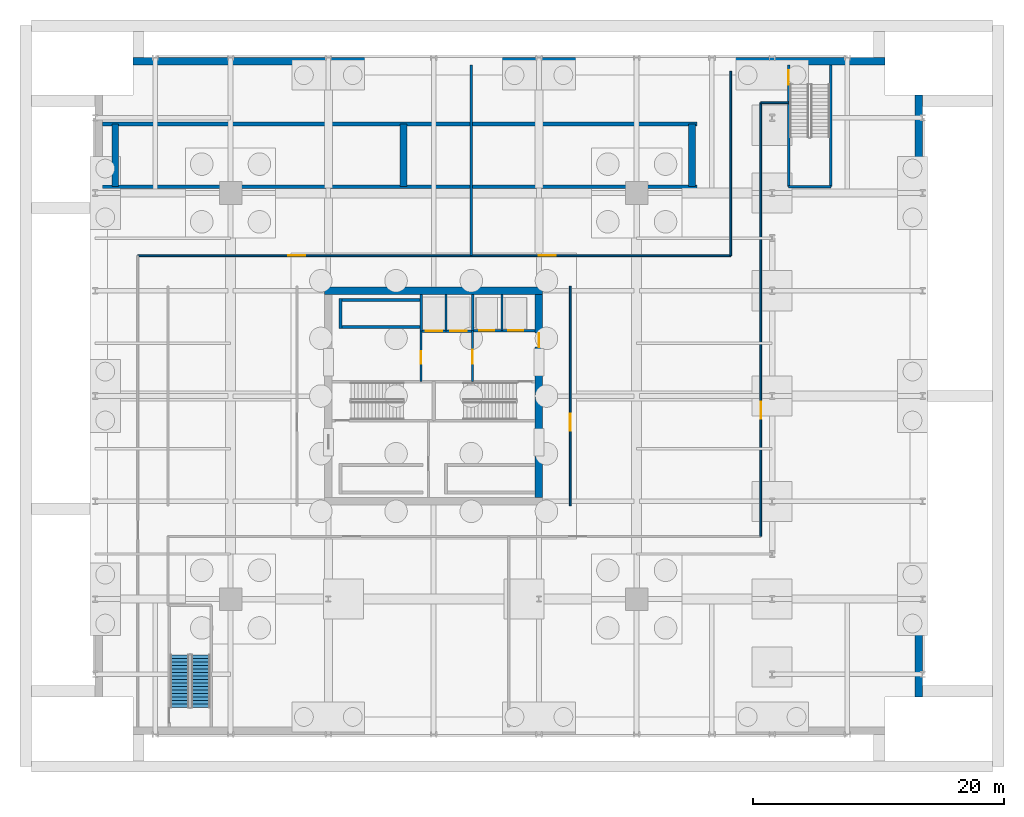
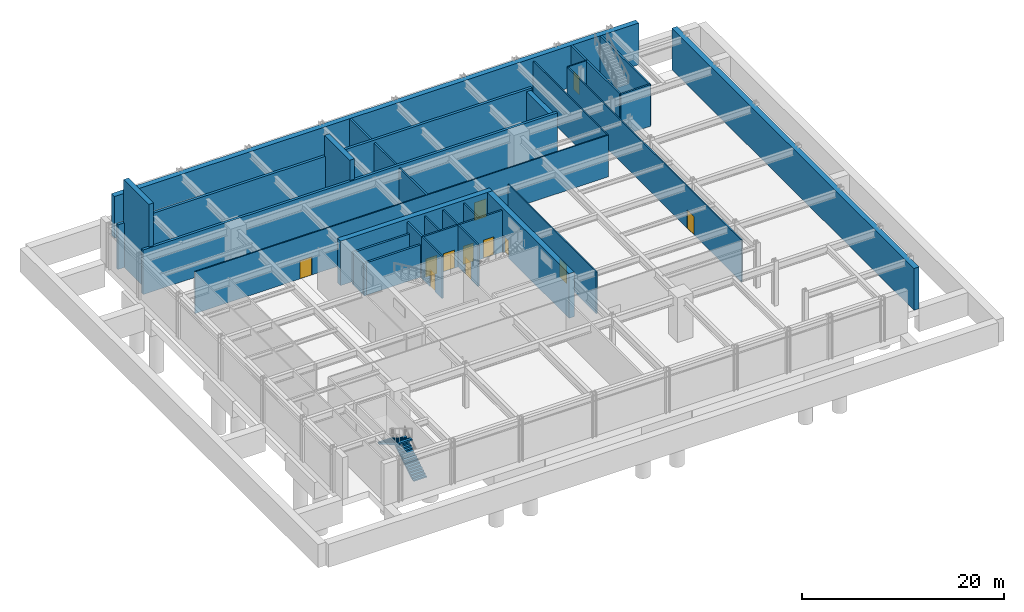
# One storey, part 4 of 9: 29 walls, 12 doors, 2 stair flights, 12 openings, 1 element without a shape of its own.
"""IFC4 building model written with IfcOpenShell, lengths in metres."""

from ifc_helpers import new_model, si_unit, direction, frame, frame_2d, origin, place, context, subcontext, project, spatial, polyline, rectangle, outline, extrude, material, layer, layer_set, type_object, element, fill, aggregate, save


model = new_model("IFC4")

# Units and contexts
model_context = context("Model", 3, precision=1e-05, world=origin(), true_north=direction((0.0, 1.0)))
body_context = subcontext(model_context, "Body", "Model", "MODEL_VIEW")
ifc_project = project(units=[si_unit("LENGTHUNIT", "METRE"), si_unit("AREAUNIT", "SQUARE_METRE"), si_unit("VOLUMEUNIT", "CUBIC_METRE"), si_unit("PLANEANGLEUNIT", "RADIAN"), si_unit("MASSUNIT", "GRAM", prefix="KILO")], contexts=[model_context])

# Site, building, storey
site_placement = place(None, origin())
site = spatial("IfcSite", under=ifc_project, at=site_placement, CompositionType="ELEMENT")
building_placement = place(site_placement, origin())
building = spatial("IfcBuilding", under=site, at=building_placement, Name="Drelvath Grand Hotel", CompositionType="ELEMENT")
storey_placement = place(building_placement, frame((0.0, 0.0, -10.800048828125)))
storey = spatial("IfcBuildingStorey", under=building, at=storey_placement, Name="B2", CompositionType="ELEMENT", Elevation=-10.800048828125)

# Walls
ifc_material_1 = material(Name="Concrete f'c 55 MPa", Category="concrete")
ifc_layer_1 = layer(ifc_material_1, 0.60009765625)
ifc_layer_set_1 = layer_set([ifc_layer_1], Name="Concrete f'c 55 MPa")
wall_type_1 = type_object("IfcWallType", Name="Basement Perimeter Retaining Wall 600", PredefinedType="USERDEFINED", material=ifc_layer_set_1)
for number, where, z_axis, x_axis, name in (
    (1, (-7.550048828125, 32.52001953125, 0.0), (0.0, 0.0, 1.0), (1.0, 0.0, 0.0), "B2 Elevator Pit Support Wall PIT-B1-PE79-S"),
    (2, (-7.550048828125, 34.679931640625, 0.0), (0.0, 0.0, 1.0), (1.0, 0.0, 0.0), "B2 Elevator Pit Support Wall PIT-B1-PE79-N"),
):
    element("IfcWall", number, at=place(storey_placement, frame(where, z_axis=z_axis, x_axis=x_axis)), inside=storey, type_object=wall_type_1, Name=name, ObjectType="RETAININGWALL", PredefinedType="USERDEFINED", context=body_context, shape_type="SweptSolid", body=[
        extrude(rectangle(XDim=6.5, YDim=0.239990234375, at=frame_2d((3.25, 0.0))), origin(), (0.0, 0.0, 1.0), 3.920166015625),
    ])
wall_1_placement = place(storey_placement, frame((-7.429931640625, 32.39990234375, 0.0), z_axis=(0.0, 0.0, 1.0), x_axis=(0.0, 1.0, 0.0)))
element("IfcWall", 3, at=wall_1_placement, inside=storey, type_object=wall_type_1, Name="B2 Elevator Pit Support Wall PIT-B1-PE79-W", ObjectType="RETAININGWALL", PredefinedType="USERDEFINED", context=body_context, shape_type="SweptSolid", body=[
    extrude(rectangle(XDim=2.400146484375, YDim=0.239990234375, at=frame_2d((1.2001953125, 0.0))), origin(), (0.0, 0.0, 1.0), 3.920166015625),
])
wall_2_placement = place(storey_placement, frame((-24.0, 53.699951171875, 0.0), z_axis=(0.0, 0.0, 1.0), x_axis=(1.0, 0.0, 0.0)))
element("IfcWall", 4, at=wall_2_placement, inside=storey, type_object=wall_type_1, Name="B2 Perimeter Retaining Wall N", ObjectType="RETAININGWALL", PredefinedType="USERDEFINED", context=body_context, shape_type="SweptSolid", body=[
    extrude(rectangle(XDim=60.0, YDim=0.60009765625, at=frame_2d((30.0, 0.0))), origin(), (0.0, 0.0, 1.0), 5.050048828125),
])
wall_3_placement = place(storey_placement, frame((38.699951171875, 51.0, 0.0), z_axis=(0.0, 0.0, 1.0), x_axis=(0.0, -1.0, 0.0)))
element("IfcWall", 5, at=wall_3_placement, inside=storey, type_object=wall_type_1, Name="B2 Perimeter Retaining Wall E", ObjectType="RETAININGWALL", PredefinedType="USERDEFINED", context=body_context, shape_type="SweptSolid", body=[
    extrude(rectangle(XDim=48.0, YDim=0.60009765625, at=frame_2d((24.0, 0.0))), origin(), (0.0, 0.0, 1.0), 5.050048828125),
])
wall_4_placement = place(storey_placement, frame((-25.39990234375, 43.699951171875, 0.0), z_axis=(0.0, 0.0, 1.0), x_axis=(0.0, 1.0, 0.0)))
element("IfcWall", 6, at=wall_4_placement, inside=storey, type_object=wall_type_1, Name="Service Ramp R1 Transverse Bearing Pier 1", ObjectType="RETAININGWALL", PredefinedType="USERDEFINED", context=body_context, shape_type="SweptSolid", body=[
    extrude(rectangle(XDim=5.0, YDim=0.550048828125, at=frame_2d((2.5, 0.0))), origin(), (0.0, 0.0, 1.0), 10.56005859375),
])
wall_5_placement = place(storey_placement, frame((-2.39990234375, 43.699951171875, 0.0), z_axis=(0.0, 0.0, 1.0), x_axis=(0.0, 1.0, 0.0)))
element("IfcWall", 7, at=wall_5_placement, inside=storey, type_object=wall_type_1, Name="Service Ramp R1 Transverse Bearing Pier 2", ObjectType="RETAININGWALL", PredefinedType="USERDEFINED", context=body_context, shape_type="SweptSolid", body=[
    extrude(rectangle(XDim=5.0, YDim=0.550048828125, at=frame_2d((2.5, 0.0))), origin(), (0.0, 0.0, 1.0), 7.860107421875),
])
wall_6_placement = place(storey_placement, frame((20.60009765625, 43.699951171875, 0.0), z_axis=(0.0, 0.0, 1.0), x_axis=(0.0, 1.0, 0.0)))
element("IfcWall", 8, at=wall_6_placement, inside=storey, type_object=wall_type_1, Name="Service Ramp R1 Transverse Bearing Pier 3", ObjectType="RETAININGWALL", PredefinedType="USERDEFINED", context=body_context, shape_type="SweptSolid", body=[
    extrude(rectangle(XDim=5.0, YDim=0.550048828125, at=frame_2d((2.5, 0.0))), origin(), (0.0, 0.0, 1.0), 5.16015625),
])
for number, where, z_axis, x_axis, name in (
    (9, (-26.39990234375, 43.699951171875, 0.0), (0.0, 0.0, 1.0), (1.0, 0.0, 0.0), "B2 Service Ramp R1 Support Wall S"),
    (10, (-26.39990234375, 48.699951171875, 0.0), (0.0, 0.0, 1.0), (1.0, 0.0, 0.0), "B2 Service Ramp R1 Support Wall N"),
):
    element("IfcWall", number, at=place(storey_placement, frame(where, z_axis=z_axis, x_axis=x_axis)), inside=storey, type_object=wall_type_1, Name=name, ObjectType="RETAININGWALL", PredefinedType="USERDEFINED", context=body_context, shape_type="SweptSolid", body=[
        extrude(rectangle(XDim=47.39990234375, YDim=0.300048828125, at=frame_2d((23.699951171875, 0.0))), origin(), (0.0, 0.0, 1.0), 5.400146484375),
    ])

# Wall, openings, doors
ifc_material_2 = material(Name="Concrete C40/50", Category="concrete")
ifc_layer_2 = layer(ifc_material_2, 0.199951171875)
ifc_layer_set_2 = layer_set([ifc_layer_2], Name="Concrete C40/50")
wall_type_2 = type_object("IfcWallType", Name="Core Hoistway Fire Wall 200", PredefinedType="SOLIDWALL", material=ifc_layer_set_2)
wall_7_placement = place(storey_placement, frame((3.10009765625, 32.219970703125, 0.0), z_axis=(0.0, 0.0, 1.0), x_axis=(1.0, 0.0, 0.0)))
wall_7 = element("IfcWall", 11, at=wall_7_placement, inside=storey, type_object=wall_type_2, Name="B2 FSAE Hoistway Front Wall", PredefinedType="SOLIDWALL", context=body_context, shape_type="SweptSolid", body=[
    extrude(rectangle(XDim=5.0, YDim=0.199951171875, at=frame_2d((2.5, 0.0))), origin(), (0.0, 0.0, 1.0), 5.050048828125),
])
opening_1_placement = place(wall_7_placement, frame((0.550048828125, 0.0, 0.0)))
opening_1 = element("IfcOpeningElement", 12, at=opening_1_placement, cuts=wall_7, Name="Opening LD-FSAE-1", PredefinedType="OPENING", context=body_context, shape_type="SweptSolid", body=[
    extrude(rectangle(XDim=1.199951171875, YDim=2.199951171875, at=frame_2d((0.60009765625, 1.10009765625))), frame((0.0, 0.10986328125, 0.0), z_axis=(0.0, -1.0, 0.0), x_axis=(1.0, 0.0, 0.0)), (0.0, 0.0, 1.0), 0.219970703125),
])
opening_2_placement = place(wall_7_placement, frame((2.85009765625, 0.0, 0.0)))
opening_2 = element("IfcOpeningElement", 13, at=opening_2_placement, cuts=wall_7, Name="Opening LD-FSAE-2", PredefinedType="OPENING", context=body_context, shape_type="SweptSolid", body=[
    extrude(rectangle(XDim=1.199951171875, YDim=2.199951171875, at=frame_2d((0.60009765625, 1.10009765625))), frame((0.0, 0.10986328125, 0.0), z_axis=(0.0, -1.0, 0.0), x_axis=(1.0, 0.0, 0.0)), (0.0, 0.0, 1.0), 0.219970703125),
])
ifc_material_3 = material(Name="Stainless Steel S355", Category="steel")
door_type_1 = type_object("IfcDoorType", Name="FSAE Lift Sliding Landing Door 1200x2200", OperationType="NOTDEFINED", PredefinedType="DOOR", material=ifc_material_3)
door_1_placement = place(opening_1_placement, origin())
door_1 = element("IfcDoor", 14, at=door_1_placement, inside=storey, type_object=door_type_1, Name="B2 Lift FSAE-1 Landing Door", OperationType="SLIDING_TO_LEFT", OverallHeight=2.199951171875, OverallWidth=1.199951171875, PredefinedType="DOOR", context=body_context, shape_type="SweptSolid", body=[
    extrude(rectangle(XDim=1.199951171875, YDim=2.199951171875, at=frame_2d((0.60009765625, 1.10009765625))), frame((0.0, 0.02490234375, 0.0), z_axis=(0.0, -1.0, 0.0), x_axis=(1.0, 0.0, 0.0)), (0.0, 0.0, 1.0), 0.050048828125),
])
fill(opening_1, door_1)
door_2_placement = place(opening_2_placement, origin())
door_2 = element("IfcDoor", 15, at=door_2_placement, inside=storey, type_object=door_type_1, Name="B2 Lift FSAE-2 Landing Door", OperationType="SLIDING_TO_LEFT", OverallHeight=2.199951171875, OverallWidth=1.199951171875, PredefinedType="DOOR", context=body_context, shape_type="SweptSolid", body=[
    extrude(rectangle(XDim=1.199951171875, YDim=2.199951171875, at=frame_2d((0.60009765625, 1.10009765625))), frame((0.0, 0.02490234375, 0.0), z_axis=(0.0, -1.0, 0.0), x_axis=(1.0, 0.0, 0.0)), (0.0, 0.0, 1.0), 0.050048828125),
])
fill(opening_2, door_2)

# Wall
wall_8_placement = place(storey_placement, frame((3.10009765625, 32.219970703125, 0.0), z_axis=(0.0, 0.0, 1.0), x_axis=(0.0, 1.0, 0.0)))
element("IfcWall", 16, at=wall_8_placement, inside=storey, type_object=wall_type_2, Name="B2 FSAE Hoistway West Wall", PredefinedType="SOLIDWALL", context=body_context, shape_type="SweptSolid", body=[
    extrude(rectangle(XDim=2.880126953125, YDim=0.199951171875, at=frame_2d((1.43994140625, 0.0))), origin(), (0.0, 0.0, 1.0), 5.050048828125),
])

# Wall, openings, doors
wall_9_placement = place(storey_placement, frame((-1.0, 32.179931640625, 0.0), z_axis=(0.0, 0.0, 1.0), x_axis=(1.0, 0.0, 0.0)))
wall_9 = element("IfcWall", 17, at=wall_9_placement, inside=storey, type_object=wall_type_2, Name="B2 Service Lift Hoistway Wall", PredefinedType="SOLIDWALL", context=body_context, shape_type="SweptSolid", body=[
    extrude(rectangle(XDim=4.10009765625, YDim=0.199951171875, at=frame_2d((2.050048828125, 0.0))), origin(), (0.0, 0.0, 1.0), 5.050048828125),
])
opening_3_placement = place(wall_9_placement, frame((0.3701171875, 0.0, 0.0)))
opening_3 = element("IfcOpeningElement", 18, at=opening_3_placement, cuts=wall_9, Name="Opening LD-SV-2", PredefinedType="OPENING", context=body_context, shape_type="SweptSolid", body=[
    extrude(rectangle(XDim=1.300048828125, YDim=2.199951171875, at=frame_2d((0.64990234375, 1.10009765625))), frame((0.0, 0.10986328125, 0.0), z_axis=(0.0, -1.0, 0.0), x_axis=(1.0, 0.0, 0.0)), (0.0, 0.0, 1.0), 0.219970703125),
])
opening_4_placement = place(wall_9_placement, frame((2.330078125, 0.0, 0.0)))
opening_4 = element("IfcOpeningElement", 19, at=opening_4_placement, cuts=wall_9, Name="Opening LD-SV-1", PredefinedType="OPENING", context=body_context, shape_type="SweptSolid", body=[
    extrude(rectangle(XDim=1.300048828125, YDim=2.199951171875, at=frame_2d((0.64990234375, 1.10009765625))), frame((0.0, 0.10986328125, 0.0), z_axis=(0.0, -1.0, 0.0), x_axis=(1.0, 0.0, 0.0)), (0.0, 0.0, 1.0), 0.219970703125),
])
door_type_2 = type_object("IfcDoorType", Name="Service Lift Sliding Landing Door 1300x2200", OperationType="NOTDEFINED", PredefinedType="DOOR", material=ifc_material_3)
door_3_placement = place(opening_3_placement, origin())
door_3 = element("IfcDoor", 20, at=door_3_placement, inside=storey, type_object=door_type_2, Name="B2 Lift SV-2 Landing Door", OperationType="SLIDING_TO_LEFT", OverallHeight=2.199951171875, OverallWidth=1.300048828125, PredefinedType="DOOR", context=body_context, shape_type="SweptSolid", body=[
    extrude(rectangle(XDim=1.300048828125, YDim=2.199951171875, at=frame_2d((0.64990234375, 1.10009765625))), frame((0.0, 0.02490234375, 0.0), z_axis=(0.0, -1.0, 0.0), x_axis=(1.0, 0.0, 0.0)), (0.0, 0.0, 1.0), 0.050048828125),
])
fill(opening_3, door_3)
door_4_placement = place(opening_4_placement, origin())
door_4 = element("IfcDoor", 21, at=door_4_placement, inside=storey, type_object=door_type_2, Name="B2 Lift SV-1 Landing Door", OperationType="SLIDING_TO_LEFT", OverallHeight=2.199951171875, OverallWidth=1.300048828125, PredefinedType="DOOR", context=body_context, shape_type="SweptSolid", body=[
    extrude(rectangle(XDim=1.300048828125, YDim=2.199951171875, at=frame_2d((0.64990234375, 1.10009765625))), frame((0.0, 0.02490234375, 0.0), z_axis=(0.0, -1.0, 0.0), x_axis=(1.0, 0.0, 0.0)), (0.0, 0.0, 1.0), 0.050048828125),
])
fill(opening_4, door_4)

# Wall
wall_10_placement = place(storey_placement, frame((-1.0, 32.179931640625, 0.0), z_axis=(0.0, 0.0, 1.0), x_axis=(0.0, 1.0, 0.0)))
element("IfcWall", 22, at=wall_10_placement, inside=storey, type_object=wall_type_2, Name="B2 Service Lift West Wall", PredefinedType="SOLIDWALL", context=body_context, shape_type="SweptSolid", body=[
    extrude(rectangle(XDim=2.920166015625, YDim=0.199951171875, at=frame_2d((1.4599609375, 0.0))), origin(), (0.0, 0.0, 1.0), 5.050048828125),
])

# Wall, opening, door
ifc_layer_3 = layer(ifc_material_2, 0.199951171875)
ifc_layer_set_3 = layer_set([ifc_layer_3], Name="Concrete C40/50")
wall_type_3 = type_object("IfcWallType", Name="Core Shaft Fire Wall 200", PredefinedType="SOLIDWALL", material=ifc_layer_set_3)
wall_11_placement = place(storey_placement, frame((28.320068359375, 43.699951171875, 0.0), z_axis=(0.0, 0.0, 1.0), x_axis=(0.0, 1.0, 0.0)))
wall_11 = element("IfcWall", 23, at=wall_11_placement, inside=storey, type_object=wall_type_3, Name="B2 Stair ST-4 West Wall", PredefinedType="SOLIDWALL", context=body_context, shape_type="SweptSolid", body=[
    extrude(rectangle(XDim=9.699951171875, YDim=0.199951171875, at=frame_2d((4.85009765625, 0.0))), origin(), (0.0, 0.0, 1.0), 5.050048828125),
])
opening_5_placement = place(wall_11_placement, frame((8.14990234375, 0.0, 0.0)))
opening_5 = element("IfcOpeningElement", 24, at=opening_5_placement, cuts=wall_11, Name="Opening D-B2-013", PredefinedType="OPENING", context=body_context, shape_type="SweptSolid", body=[
    extrude(rectangle(XDim=1.14990234375, YDim=2.14990234375, at=frame_2d((0.574951171875, 1.074951171875))), frame((0.0, 0.10986328125, 0.0), z_axis=(0.0, -1.0, 0.0), x_axis=(1.0, 0.0, 0.0)), (0.0, 0.0, 1.0), 0.219970703125),
])
ifc_material_4 = material(Name="Painted Steel S275", Category="steel")
door_type_3 = type_object("IfcDoorType", Name="Podium Stairwell Fire Door 1150x2150", OperationType="NOTDEFINED", PredefinedType="DOOR", material=ifc_material_4)
door_5_placement = place(opening_5_placement, origin())
door_5 = element("IfcDoor", 25, at=door_5_placement, inside=storey, type_object=door_type_3, Name="B2 Exit Stair ST-4 Entry Door", OperationType="SINGLE_SWING_RIGHT", OverallHeight=2.14990234375, OverallWidth=1.14990234375, PredefinedType="DOOR", context=body_context, shape_type="SweptSolid", body=[
    extrude(rectangle(XDim=1.14990234375, YDim=2.14990234375, at=frame_2d((0.574951171875, 1.074951171875))), frame((0.0, 0.02490234375, 0.0), z_axis=(0.0, -1.0, 0.0), x_axis=(1.0, 0.0, 0.0)), (0.0, 0.0, 1.0), 0.050048828125),
])
fill(opening_5, door_5)

# Walls
wall_12_placement = place(storey_placement, frame((31.679931640625, 53.39990234375, 0.0), z_axis=(0.0, 0.0, 1.0), x_axis=(0.0, -1.0, 0.0)))
element("IfcWall", 26, at=wall_12_placement, inside=storey, type_object=wall_type_3, Name="B2 Stair ST-4 East Wall", PredefinedType="SOLIDWALL", context=body_context, shape_type="SweptSolid", body=[
    extrude(rectangle(XDim=9.699951171875, YDim=0.199951171875, at=frame_2d((4.85009765625, 0.0))), origin(), (0.0, 0.0, 1.0), 5.050048828125),
])
wall_13_placement = place(storey_placement, frame((28.320068359375, 43.699951171875, 0.0), z_axis=(0.0, 0.0, 1.0), x_axis=(1.0, 0.0, 0.0)))
element("IfcWall", 27, at=wall_13_placement, inside=storey, type_object=wall_type_3, Name="B2 Stair ST-4 South Wall", PredefinedType="SOLIDWALL", context=body_context, shape_type="SweptSolid", body=[
    extrude(rectangle(XDim=3.35986328125, YDim=0.199951171875, at=frame_2d((1.679931640625, 0.0))), origin(), (0.0, 0.0, 1.0), 5.050048828125),
])
wall_14_placement = place(storey_placement, frame((3.0, 38.199951171875, 0.0), z_axis=(0.0, 0.0, 1.0), x_axis=(0.0, 1.0, 0.0)))
element("IfcWall", 28, at=wall_14_placement, inside=storey, type_object=wall_type_3, Name="B2 B2 North Plant Divider", PredefinedType="SOLIDWALL", context=body_context, shape_type="SweptSolid", body=[
    extrude(rectangle(XDim=15.199951171875, YDim=0.199951171875, at=frame_2d((7.60009765625, 0.0))), origin(), (0.0, 0.0, 1.0), 5.050048828125),
])
ifc_material_5 = material(Name="Gypsum Fireboard Partition")
ifc_layer_4 = layer(ifc_material_5, 0.1650390625)
ifc_layer_set_4 = layer_set([ifc_layer_4], Name="Gypsum Fireboard Partition")
wall_type_4 = type_object("IfcWallType", Name="Core Shaft Partition 165", PredefinedType="PARTITIONING", material=ifc_layer_set_4)
wall_15_placement = place(storey_placement, frame((5.449951171875, 32.219970703125, 0.0), z_axis=(0.0, 0.0, 1.0), x_axis=(0.0, 1.0, 0.0)))
element("IfcWall", 29, at=wall_15_placement, inside=storey, type_object=wall_type_4, Name="B2 FSAE Hoistway Divider", PredefinedType="PARTITIONING", context=body_context, shape_type="SweptSolid", body=[
    extrude(rectangle(XDim=2.880126953125, YDim=0.1650390625, at=frame_2d((1.43994140625, 0.0))), origin(), (0.0, 0.0, 1.0), 5.050048828125),
])
wall_16_placement = place(storey_placement, frame((1.0, 32.179931640625, 0.0), z_axis=(0.0, 0.0, 1.0), x_axis=(0.0, 1.0, 0.0)))
element("IfcWall", 30, at=wall_16_placement, inside=storey, type_object=wall_type_4, Name="B2 Service Lift Divider", PredefinedType="PARTITIONING", context=body_context, shape_type="SweptSolid", body=[
    extrude(rectangle(XDim=2.920166015625, YDim=0.1650390625, at=frame_2d((1.4599609375, 0.0))), origin(), (0.0, 0.0, 1.0), 5.050048828125),
])

# Wall, openings, doors
ifc_layer_5 = layer(ifc_material_5, 0.135009765625)
ifc_layer_set_5 = layer_set([ifc_layer_5], Name="Gypsum Fireboard Partition")
wall_type_5 = type_object("IfcWallType", Name="Corridor Fire Barrier Wall 135", PredefinedType="PARTITIONING", material=ifc_layer_set_5)
wall_17_placement = place(storey_placement, frame((-23.60009765625, 38.199951171875, 0.0), z_axis=(0.0, 0.0, 1.0), x_axis=(1.0, 0.0, 0.0)))
wall_17 = element("IfcWall", 31, at=wall_17_placement, inside=storey, type_object=wall_type_5, Name="B2 B2 North Plant Corridor Wall", PredefinedType="PARTITIONING", context=body_context, shape_type="SweptSolid", body=[
    extrude(rectangle(XDim=47.300048828125, YDim=0.135009765625, at=frame_2d((23.64990234375, 0.0))), origin(), (0.0, 0.0, 1.0), 5.050048828125),
])
opening_6_placement = place(wall_17_placement, frame((12.0, 0.0, 0.0)))
opening_6 = element("IfcOpeningElement", 32, at=opening_6_placement, cuts=wall_17, Name="Opening D-B2-016", PredefinedType="OPENING", context=body_context, shape_type="SweptSolid", body=[
    extrude(rectangle(XDim=1.360107421875, YDim=2.199951171875, at=frame_2d((0.68017578125, 1.10009765625))), frame((0.0, 0.077392578125, 0.0), z_axis=(0.0, -1.0, 0.0), x_axis=(1.0, 0.0, 0.0)), (0.0, 0.0, 1.0), 0.155029296875),
])
opening_7_placement = place(wall_17_placement, frame((32.0, 0.0, 0.0)))
opening_7 = element("IfcOpeningElement", 33, at=opening_7_placement, cuts=wall_17, Name="Opening D-B2-017", PredefinedType="OPENING", context=body_context, shape_type="SweptSolid", body=[
    extrude(rectangle(XDim=1.360107421875, YDim=2.199951171875, at=frame_2d((0.68017578125, 1.10009765625))), frame((0.0, 0.077392578125, 0.0), z_axis=(0.0, -1.0, 0.0), x_axis=(1.0, 0.0, 0.0)), (0.0, 0.0, 1.0), 0.155029296875),
])
door_type_4 = type_object("IfcDoorType", Name="Plant Equipment Double Fire Door 1360x2200", OperationType="NOTDEFINED", PredefinedType="DOOR", material=ifc_material_4)
door_6_placement = place(opening_6_placement, origin())
door_6 = element("IfcDoor", 34, at=door_6_placement, inside=storey, type_object=door_type_4, Name="B2 Water Tank Room Door", OperationType="SINGLE_SWING_RIGHT", OverallHeight=2.199951171875, OverallWidth=1.360107421875, PredefinedType="DOOR", context=body_context, shape_type="SweptSolid", body=[
    extrude(rectangle(XDim=1.360107421875, YDim=2.199951171875, at=frame_2d((0.68017578125, 1.10009765625))), frame((0.0, 0.02490234375, 0.0), z_axis=(0.0, -1.0, 0.0), x_axis=(1.0, 0.0, 0.0)), (0.0, 0.0, 1.0), 0.050048828125),
])
fill(opening_6, door_6)
door_7_placement = place(opening_7_placement, origin())
door_7 = element("IfcDoor", 35, at=door_7_placement, inside=storey, type_object=door_type_4, Name="B2 Switchgear Room Door", OperationType="SINGLE_SWING_LEFT", OverallHeight=2.199951171875, OverallWidth=1.360107421875, PredefinedType="DOOR", context=body_context, shape_type="SweptSolid", body=[
    extrude(rectangle(XDim=1.360107421875, YDim=2.199951171875, at=frame_2d((0.68017578125, 1.10009765625))), frame((0.0, 0.02490234375, 0.0), z_axis=(0.0, -1.0, 0.0), x_axis=(1.0, 0.0, 0.0)), (0.0, 0.0, 1.0), 0.050048828125),
])
fill(opening_7, door_7)

# Wall, opening, door
wall_18_placement = place(storey_placement, frame((10.89990234375, 18.239990234375, 0.0), z_axis=(0.0, 0.0, 1.0), x_axis=(0.0, 1.0, 0.0)))
wall_18 = element("IfcWall", 36, at=wall_18_placement, inside=storey, type_object=wall_type_5, Name="B2 B2 East Plant Corridor Wall", PredefinedType="PARTITIONING", context=body_context, shape_type="SweptSolid", body=[
    extrude(rectangle(XDim=17.52001953125, YDim=0.135009765625, at=frame_2d((8.760009765625, 0.0))), origin(), (0.0, 0.0, 1.0), 5.050048828125),
])
opening_8_placement = place(wall_18_placement, frame((6.0, 0.0, 0.0)))
opening_8 = element("IfcOpeningElement", 37, at=opening_8_placement, cuts=wall_18, Name="Opening D-B2-019", PredefinedType="OPENING", context=body_context, shape_type="SweptSolid", body=[
    extrude(rectangle(XDim=1.360107421875, YDim=2.199951171875, at=frame_2d((0.68017578125, 1.10009765625))), frame((0.0, 0.077392578125, 0.0), z_axis=(0.0, -1.0, 0.0), x_axis=(1.0, 0.0, 0.0)), (0.0, 0.0, 1.0), 0.155029296875),
])
door_8_placement = place(opening_8_placement, origin())
door_8 = element("IfcDoor", 38, at=door_8_placement, inside=storey, type_object=door_type_4, Name="B2 AHU Plant Room Door", OperationType="SINGLE_SWING_LEFT", OverallHeight=2.199951171875, OverallWidth=1.360107421875, PredefinedType="DOOR", context=body_context, shape_type="SweptSolid", body=[
    extrude(rectangle(XDim=1.360107421875, YDim=2.199951171875, at=frame_2d((0.68017578125, 1.10009765625))), frame((0.0, 0.02490234375, 0.0), z_axis=(0.0, -1.0, 0.0), x_axis=(1.0, 0.0, 0.0)), (0.0, 0.0, 1.0), 0.050048828125),
])
fill(opening_8, door_8)

# Wall
wall_19_placement = place(storey_placement, frame((23.699951171875, 38.199951171875, 0.0), z_axis=(0.0, 0.0, 1.0), x_axis=(0.0, 1.0, 0.0)))
element("IfcWall", 39, at=wall_19_placement, inside=storey, type_object=wall_type_5, Name="B2 B2 ST-4 Spur West Wall", PredefinedType="PARTITIONING", context=body_context, shape_type="SweptSolid", body=[
    extrude(rectangle(XDim=14.699951171875, YDim=0.135009765625, at=frame_2d((7.35009765625, 0.0))), origin(), (0.0, 0.0, 1.0), 5.050048828125),
])

# Wall, opening, door
wall_20_placement = place(storey_placement, frame((26.10009765625, 15.800048828125, 0.0), z_axis=(0.0, 0.0, 1.0), x_axis=(0.0, 1.0, 0.0)))
wall_20 = element("IfcWall", 40, at=wall_20_placement, inside=storey, type_object=wall_type_5, Name="B2 B2 ST-4 Spur East Wall", PredefinedType="PARTITIONING", context=body_context, shape_type="SweptSolid", body=[
    extrude(rectangle(XDim=34.599853515625, YDim=0.135009765625, at=frame_2d((17.2998046875, 0.0))), origin(), (0.0, 0.0, 1.0), 5.050048828125),
])
opening_9_placement = place(wall_20_placement, frame((9.39990234375, 0.0, 0.0)))
opening_9 = element("IfcOpeningElement", 41, at=opening_9_placement, cuts=wall_20, Name="Opening D-B2-021", PredefinedType="OPENING", context=body_context, shape_type="SweptSolid", body=[
    extrude(rectangle(XDim=1.360107421875, YDim=2.199951171875, at=frame_2d((0.68017578125, 1.10009765625))), frame((0.0, 0.077392578125, 0.0), z_axis=(0.0, -1.0, 0.0), x_axis=(1.0, 0.0, 0.0)), (0.0, 0.0, 1.0), 0.155029296875),
])
door_9_placement = place(opening_9_placement, origin())
door_9 = element("IfcDoor", 42, at=door_9_placement, inside=storey, type_object=door_type_4, Name="B2 Transformer Vault Door", OperationType="SINGLE_SWING_LEFT", OverallHeight=2.199951171875, OverallWidth=1.360107421875, PredefinedType="DOOR", context=body_context, shape_type="SweptSolid", body=[
    extrude(rectangle(XDim=1.360107421875, YDim=2.199951171875, at=frame_2d((0.68017578125, 1.10009765625))), frame((0.0, 0.02490234375, 0.0), z_axis=(0.0, -1.0, 0.0), x_axis=(1.0, 0.0, 0.0)), (0.0, 0.0, 1.0), 0.050048828125),
])
fill(opening_9, door_9)

# Wall
wall_21_placement = place(storey_placement, frame((26.10009765625, 50.39990234375, 0.0), z_axis=(0.0, 0.0, 1.0), x_axis=(1.0, 0.0, 0.0)))
element("IfcWall", 43, at=wall_21_placement, inside=storey, type_object=wall_type_5, Name="B2 B2 ST-4 Vestibule South Wall", PredefinedType="PARTITIONING", context=body_context, shape_type="SweptSolid", body=[
    extrude(rectangle(XDim=2.219970703125, YDim=0.135009765625, at=frame_2d((1.10986328125, 0.0))), origin(), (0.0, 0.0, 1.0), 5.050048828125),
])

# Wall, opening, door
ifc_layer_6 = layer(ifc_material_5, 0.179931640625)
ifc_layer_set_6 = layer_set([ifc_layer_6], Name="Gypsum Fireboard Partition")
wall_type_6 = type_object("IfcWallType", Name="FSAE Smoke Lobby Fire Wall 180", PredefinedType="SOLIDWALL", material=ifc_layer_set_6)
wall_22_placement = place(storey_placement, frame((3.10009765625, 28.159912109375, 0.0), z_axis=(0.0, 0.0, 1.0), x_axis=(0.0, 1.0, 0.0)))
wall_22 = element("IfcWall", 44, at=wall_22_placement, inside=storey, type_object=wall_type_6, Name="B2 FSAE Smoke Lobby West Wall", PredefinedType="SOLIDWALL", context=body_context, shape_type="SweptSolid", body=[
    extrude(rectangle(XDim=4.06005859375, YDim=0.179931640625, at=frame_2d((2.030029296875, 0.0))), origin(), (0.0, 0.0, 1.0), 5.050048828125),
])
opening_10_placement = place(wall_22_placement, frame((1.39990234375, 0.0, 0.0)))
opening_10 = element("IfcOpeningElement", 45, at=opening_10_placement, cuts=wall_22, Name="Opening D-B2-005", PredefinedType="OPENING", context=body_context, shape_type="SweptSolid", body=[
    extrude(rectangle(XDim=1.1201171875, YDim=2.10009765625, at=frame_2d((0.56005859375, 1.050048828125))), frame((0.0, 0.099853515625, 0.0), z_axis=(0.0, -1.0, 0.0), x_axis=(1.0, 0.0, 0.0)), (0.0, 0.0, 1.0), 0.199951171875),
])
door_type_5 = type_object("IfcDoorType", Name="FSAE Smoke Lobby Fire Door 1120x2100", OperationType="NOTDEFINED", PredefinedType="DOOR", material=ifc_material_4)
door_10_placement = place(opening_10_placement, origin())
door_10 = element("IfcDoor", 46, at=door_10_placement, inside=storey, type_object=door_type_5, Name="B2 FSAE Lobby Service Vestibule Door", OperationType="SINGLE_SWING_RIGHT", OverallHeight=2.10009765625, OverallWidth=1.1201171875, PredefinedType="DOOR", context=body_context, shape_type="SweptSolid", body=[
    extrude(rectangle(XDim=1.1201171875, YDim=2.10009765625, at=frame_2d((0.56005859375, 1.050048828125))), frame((0.0, 0.02490234375, 0.0), z_axis=(0.0, -1.0, 0.0), x_axis=(1.0, 0.0, 0.0)), (0.0, 0.0, 1.0), 0.050048828125),
])
fill(opening_10, door_10)

wall_23_placement = place(storey_placement, frame((-1.0, 28.159912109375, 0.0), z_axis=(0.0, 0.0, 1.0), x_axis=(0.0, 1.0, 0.0)))
wall_23 = element("IfcWall", 47, at=wall_23_placement, inside=storey, type_object=wall_type_6, Name="B2 Service Vestibule West Wall", PredefinedType="SOLIDWALL", context=body_context, shape_type="SweptSolid", body=[
    extrude(rectangle(XDim=4.02001953125, YDim=0.179931640625, at=frame_2d((2.010009765625, 0.0))), origin(), (0.0, 0.0, 1.0), 5.050048828125),
])
opening_11_placement = place(wall_23_placement, frame((1.39990234375, 0.0, 0.0)))
opening_11 = element("IfcOpeningElement", 48, at=opening_11_placement, cuts=wall_23, Name="Opening D-B2-009", PredefinedType="OPENING", context=body_context, shape_type="SweptSolid", body=[
    extrude(rectangle(XDim=1.0, YDim=2.10009765625, at=frame_2d((0.5, 1.050048828125))), frame((0.0, 0.099853515625, 0.0), z_axis=(0.0, -1.0, 0.0), x_axis=(1.0, 0.0, 0.0)), (0.0, 0.0, 1.0), 0.199951171875),
])
door_type_6 = type_object("IfcDoorType", Name="Core Service Fire Door 1000x2100", OperationType="NOTDEFINED", PredefinedType="DOOR", material=ifc_material_4)
door_11_placement = place(opening_11_placement, origin())
door_11 = element("IfcDoor", 49, at=door_11_placement, inside=storey, type_object=door_type_6, Name="B2 Service Vestibule West Door", OperationType="SINGLE_SWING_LEFT", OverallHeight=2.10009765625, OverallWidth=1.0, PredefinedType="DOOR", context=body_context, shape_type="SweptSolid", body=[
    extrude(rectangle(XDim=1.0, YDim=2.10009765625, at=frame_2d((0.5, 1.050048828125))), frame((0.0, 0.02490234375, 0.0), z_axis=(0.0, -1.0, 0.0), x_axis=(1.0, 0.0, 0.0)), (0.0, 0.0, 1.0), 0.050048828125),
])
fill(opening_11, door_11)

# Wall
ifc_material_6 = material(Name="Concrete f'c 70 MPa", Category="concrete")
ifc_layer_7 = layer(ifc_material_6, 0.60009765625)
ifc_layer_set_7 = layer_set([ifc_layer_7], Name="Concrete f'c 70 MPa")
wall_type_7 = type_object("IfcWallType", Name="Lower Core RC Shear Wall 600", PredefinedType="SHEAR", material=ifc_layer_set_7)
wall_24_placement = place(storey_placement, frame((-8.699951171875, 35.39990234375, 0.0), z_axis=(0.0, 0.0, 1.0), x_axis=(1.0, 0.0, 0.0)))
element("IfcWall", 50, at=wall_24_placement, inside=storey, type_object=wall_type_7, Name="B2 Central Core Shear Wall N", PredefinedType="SHEAR", context=body_context, shape_type="SweptSolid", body=[
    extrude(rectangle(XDim=17.39990234375, YDim=0.60009765625, at=frame_2d((8.699951171875, 0.0))), origin(), (0.0, 0.0, 1.0), 5.400146484375),
])

# Wall, opening, door
wall_25_placement = place(storey_placement, frame((8.39990234375, 35.10009765625, 0.0), z_axis=(0.0, 0.0, 1.0), x_axis=(0.0, -1.0, 0.0)))
wall_25 = element("IfcWall", 51, at=wall_25_placement, inside=storey, type_object=wall_type_7, Name="B2 Central Core Shear Wall E", PredefinedType="SHEAR", context=body_context, shape_type="SweptSolid", body=[
    extrude(rectangle(XDim=16.2001953125, YDim=0.60009765625, at=frame_2d((8.10009765625, 0.0))), origin(), (0.0, 0.0, 1.0), 5.400146484375),
])
opening_12_placement = place(wall_25_placement, frame((3.080078125, 0.0, 0.0)))
opening_12 = element("IfcOpeningElement", 52, at=opening_12_placement, cuts=wall_25, Name="Opening D-B2-006", PredefinedType="OPENING", context=body_context, shape_type="SweptSolid", body=[
    extrude(rectangle(XDim=1.1201171875, YDim=2.10009765625, at=frame_2d((0.56005859375, 1.050048828125))), frame((0.0, 0.31005859375, 0.0), z_axis=(0.0, -1.0, 0.0), x_axis=(1.0, 0.0, 0.0)), (0.0, 0.0, 1.0), 0.6201171875),
])
door_12_placement = place(opening_12_placement, origin())
door_12 = element("IfcDoor", 53, at=door_12_placement, inside=storey, type_object=door_type_5, Name="B2 FSAE Lobby East Corridor Door", OperationType="SINGLE_SWING_LEFT", OverallHeight=2.10009765625, OverallWidth=1.1201171875, PredefinedType="DOOR", context=body_context, shape_type="SweptSolid", body=[
    extrude(rectangle(XDim=1.1201171875, YDim=2.10009765625, at=frame_2d((0.56005859375, 1.050048828125))), frame((0.0, 0.02490234375, 0.0), z_axis=(0.0, -1.0, 0.0), x_axis=(1.0, 0.0, 0.0)), (0.0, 0.0, 1.0), 0.050048828125),
])
fill(opening_12, door_12)

# Stair, stair flights
stair_type = type_object("IfcStairType", Name="Dogleg Exit Stair W1500-R168.8", PredefinedType="HALF_TURN_STAIR", material=ifc_material_2)
stair_placement = place(storey_placement, origin())
stair = element("IfcStair", 54, at=stair_placement, inside=storey, type_object=stair_type, Name="B2 Podium Exit Stair ST-3", PredefinedType="HALF_TURN_STAIR")
stair_flight_type = type_object("IfcStairFlightType", Name="Concrete Stair Flight W1500-R168.8", PredefinedType="STRAIGHT", material=ifc_material_2)
stair_flight_1_placement = place(storey_placement, frame((-18.590087890625, 2.14990234375, 0.0), z_axis=(0.0, 0.0, 1.0), x_axis=(0.0, 1.0, 0.0)))
stair_flight_1 = element("IfcStairFlight", 55, at=stair_flight_1_placement, type_object=stair_flight_type, Name="ST-3 flight 1", NumberOfRisers=16, NumberOfTreads=15, PredefinedType="STRAIGHT", RiserHeight=0.16875, TreadLength=0.28, context=body_context, shape_type="SweptSolid", body=[
    extrude(outline(polyline([(0.0, 0.0), (0.0, 0.168701171875), (0.280029296875, 0.168701171875), (0.280029296875, 0.33740234375), (0.56005859375, 0.33740234375), (0.56005859375, 0.50634765625), (0.840087890625, 0.50634765625), (0.840087890625, 0.675048828125), (1.1201171875, 0.675048828125), (1.1201171875, 0.84375), (1.39990234375, 0.84375), (1.39990234375, 1.012451171875), (1.679931640625, 1.012451171875), (1.679931640625, 1.18115234375), (1.9599609375, 1.18115234375), (1.9599609375, 1.35009765625), (2.239990234375, 1.35009765625), (2.239990234375, 1.518798828125), (2.52001953125, 1.518798828125), (2.52001953125, 1.6875), (2.800048828125, 1.6875), (2.800048828125, 1.856201171875), (3.080078125, 1.856201171875), (3.080078125, 2.02490234375), (3.360107421875, 2.02490234375), (3.360107421875, 2.19384765625), (3.639892578125, 2.19384765625), (3.639892578125, 2.362548828125), (3.919921875, 2.362548828125), (3.919921875, 2.53125), (4.199951171875, 2.53125), (4.199951171875, 2.699951171875), (4.199951171875, 2.344482421875), (0.309814453125, 0.0), (0.0, 0.0)])), frame((0.0, 0.75, 0.0), z_axis=(0.0, -1.0, 0.0), x_axis=(1.0, 0.0, 0.0)), (0.0, 0.0, 1.0), 1.5),
])
stair_flight_2_placement = place(storey_placement, frame((-20.25, 6.35009765625, 2.699951171875), z_axis=(0.0, 0.0, 1.0), x_axis=(0.0, -1.0, 0.0)))
stair_flight_2 = element("IfcStairFlight", 56, at=stair_flight_2_placement, type_object=stair_flight_type, Name="ST-3 flight 2", NumberOfRisers=16, NumberOfTreads=15, PredefinedType="STRAIGHT", RiserHeight=0.16875, TreadLength=0.28, context=body_context, shape_type="SweptSolid", body=[
    extrude(outline(polyline([(0.0, 0.0), (0.0, 0.168701171875), (0.280029296875, 0.168701171875), (0.280029296875, 0.33740234375), (0.56005859375, 0.33740234375), (0.56005859375, 0.50634765625), (0.840087890625, 0.50634765625), (0.840087890625, 0.675048828125), (1.1201171875, 0.675048828125), (1.1201171875, 0.84375), (1.39990234375, 0.84375), (1.39990234375, 1.012451171875), (1.679931640625, 1.012451171875), (1.679931640625, 1.18115234375), (1.9599609375, 1.18115234375), (1.9599609375, 1.35009765625), (2.239990234375, 1.35009765625), (2.239990234375, 1.518798828125), (2.52001953125, 1.518798828125), (2.52001953125, 1.6875), (2.800048828125, 1.6875), (2.800048828125, 1.856201171875), (3.080078125, 1.856201171875), (3.080078125, 2.02490234375), (3.360107421875, 2.02490234375), (3.360107421875, 2.19384765625), (3.639892578125, 2.19384765625), (3.639892578125, 2.362548828125), (3.919921875, 2.362548828125), (3.919921875, 2.53125), (4.199951171875, 2.53125), (4.199951171875, 2.699951171875), (4.199951171875, 2.344482421875), (0.309814453125, 0.0), (0.0, 0.0)])), frame((0.0, 0.75, 0.0), z_axis=(0.0, -1.0, 0.0), x_axis=(1.0, 0.0, 0.0)), (0.0, 0.0, 1.0), 1.5),
])
aggregate(stair, [stair_flight_1, stair_flight_2])

save(model, "model.ifc")
